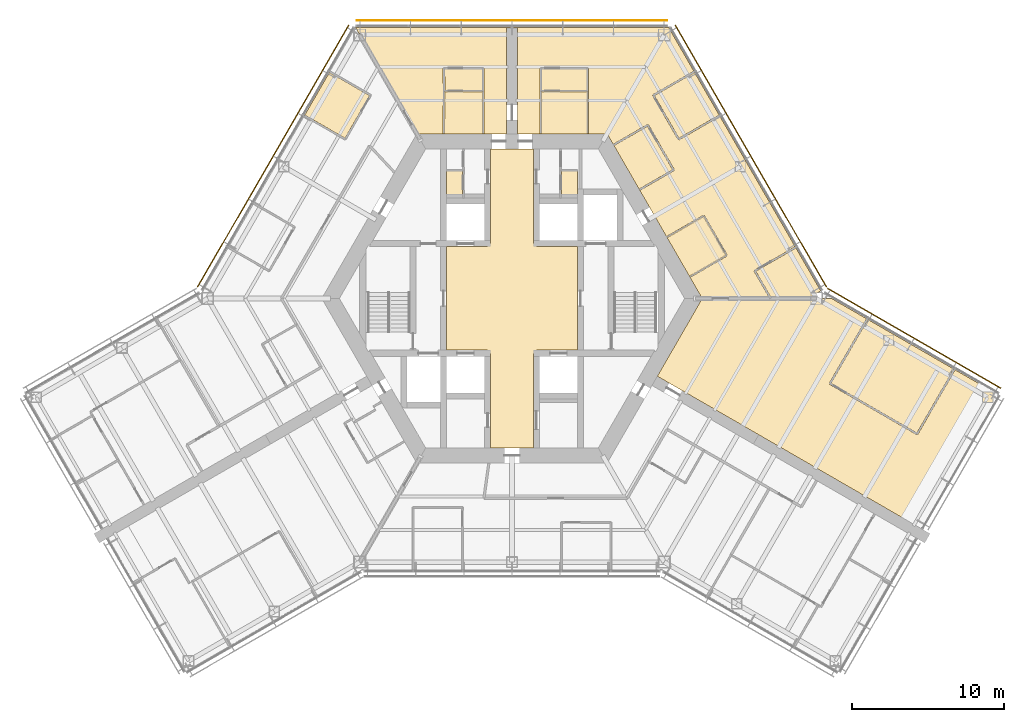
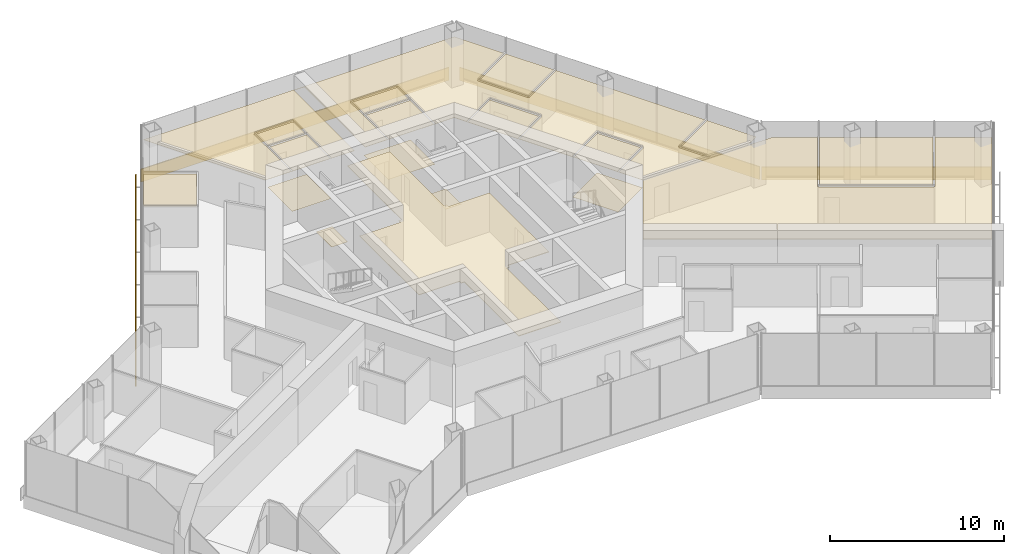
# One storey, part 19 of 19: 19 coverings, 4 shading devices.
"""IFC4 building model written with IfcOpenShell, lengths in metres."""

from ifc_helpers import new_model, si_unit, direction, frame, origin, origin_2d, place, context, subcontext, project, spatial, polyline, rectangle, outline, extrude, material, layer, layer_set, type_object, element, save


model = new_model("IFC4")

# Units and contexts
model_context = context("Model", 3, precision=1e-05, world=origin(), true_north=direction((0.0, 1.0)))
body_context = subcontext(model_context, "Body", "Model", "MODEL_VIEW")
ifc_project = project(units=[si_unit("LENGTHUNIT", "METRE"), si_unit("AREAUNIT", "SQUARE_METRE"), si_unit("VOLUMEUNIT", "CUBIC_METRE"), si_unit("PLANEANGLEUNIT", "RADIAN"), si_unit("MASSUNIT", "GRAM", prefix="KILO")], contexts=[model_context])

# Site, building, storey
site_placement = place(None, origin())
site = spatial("IfcSite", under=ifc_project, at=site_placement, CompositionType="ELEMENT")
building_placement = place(site_placement, origin())
building = spatial("IfcBuilding", under=site, at=building_placement, Name="Kasaneha Research Tower", CompositionType="ELEMENT")
storey_placement = place(building_placement, frame((0.0, 0.0, 156.5)))
storey = spatial("IfcBuildingStorey", under=building, at=storey_placement, Name="L39", CompositionType="ELEMENT", Elevation=156.5)

# Coverings
ifc_material_1 = material(Name="Aluminium panel ceiling", Category="aluminium")
ifc_layer_1 = layer(ifc_material_1, 0.0400390625)
ifc_layer_set_1 = layer_set([ifc_layer_1], Name="Lift lobby ceiling 40")
covering_type_1 = type_object("IfcCoveringType", Name="Lift lobby ceiling 40", PredefinedType="CEILING", material=ifc_layer_set_1)
covering_1_placement = place(storey_placement, frame((0.0, 0.0, 2.699951171875)))
element("IfcCovering", 1, at=covering_1_placement, inside=storey, type_object=covering_type_1, Name="Ceiling L39-01", PredefinedType="CEILING", context=body_context, shape_type="SweptSolid", body=[
    extrude(outline(polyline([(1.39990234375, 9.824951171875), (1.39990234375, 3.60009765625), (1.60009765625, 3.60009765625), (1.60009765625, 3.39990234375), (4.300048828125, 3.39990234375), (4.300048828125, -3.39990234375), (1.60009765625, -3.39990234375), (1.60009765625, -3.60009765625), (1.39990234375, -3.60009765625), (1.39990234375, -9.824951171875), (-1.39990234375, -9.824951171875), (-1.39990234375, -3.60009765625), (-1.60009765625, -3.60009765625), (-1.60009765625, -3.39990234375), (-4.300048828125, -3.39990234375), (-4.300048828125, 3.39990234375), (-1.60009765625, 3.39990234375), (-1.60009765625, 3.60009765625), (-1.39990234375, 3.60009765625), (-1.39990234375, 9.824951171875), (1.39990234375, 9.824951171875)])), origin(), (0.0, 0.0, 1.0), 0.0400390625),
])
ifc_material_2 = material(Name="Gypsum ceiling board", Category="gypsum")
ifc_layer_2 = layer(ifc_material_2, 0.02001953125)
ifc_layer_set_2 = layer_set([ifc_layer_2], Name="Suspended ceiling 20")
covering_type_2 = type_object("IfcCoveringType", Name="Suspended ceiling 20", PredefinedType="CEILING", material=ifc_layer_set_2)
covering_2_placement = place(storey_placement, frame((0.0, 0.0, 2.800048828125)))
element("IfcCovering", 2, at=covering_2_placement, inside=storey, type_object=covering_type_2, Name="Ceiling L39-26", PredefinedType="CEILING", context=body_context, shape_type="SweptSolid", body=[
    extrude(outline(polyline([(1.89990234375, 10.824951171875), (1.89990234375, 10.844970703125), (1.949951171875, 10.844970703125), (1.95458984375, 13.570068359375), (4.91650390625, 13.570068359375), (4.9208984375, 10.844970703125), (4.970947265625, 10.844970703125), (4.970947265625, 10.824951171875), (1.89990234375, 10.824951171875)])), origin(), (0.0, 0.0, 1.0), 0.02001953125),
])
covering_3_placement = place(storey_placement, frame((0.0, 0.0, 2.800048828125)))
element("IfcCovering", 3, at=covering_3_placement, inside=storey, type_object=covering_type_2, Name="Ceiling L39-27", PredefinedType="CEILING", context=body_context, shape_type="SweptSolid", body=[
    extrude(outline(polyline([(4.91650390625, 13.669921875), (1.954345703125, 13.669921875), (1.9501953125, 15.074951171875), (4.9208984375, 15.074951171875), (4.91650390625, 13.669921875)])), origin(), (0.0, 0.0, 1.0), 0.02001953125),
])
covering_4_placement = place(storey_placement, frame((0.0, 0.0, 2.800048828125)))
element("IfcCovering", 4, at=covering_4_placement, inside=storey, type_object=covering_type_2, Name="Ceiling L39-28", PredefinedType="CEILING", context=body_context, shape_type="SweptSolid", body=[
    extrude(outline(polyline([(10.1748046875, 4.02685546875), (10.192138671875, 4.036865234375), (10.217041015625, 3.99365234375), (12.581298828125, 5.358642578125), (14.03125, 2.84716796875), (11.6669921875, 1.482177734375), (11.692138671875, 1.438720703125), (11.6748046875, 1.4287109375), (10.1748046875, 4.02685546875)])), origin(), (0.0, 0.0, 1.0), 0.02001953125),
])
covering_5_placement = place(storey_placement, frame((0.0, 0.0, 2.800048828125)))
element("IfcCovering", 5, at=covering_5_placement, inside=storey, type_object=covering_type_2, Name="Ceiling L39-29", PredefinedType="CEILING", context=body_context, shape_type="SweptSolid", body=[
    extrude(outline(polyline([(13.640869140625, 12.0146484375), (13.623291015625, 12.004638671875), (13.598388671875, 12.0478515625), (10.974365234375, 10.53271484375), (9.35888671875, 13.330810546875), (12.000244140625, 14.85595703125), (13.640869140625, 12.0146484375)])), origin(), (0.0, 0.0, 1.0), 0.02001953125),
])
covering_6_placement = place(storey_placement, frame((0.0, 0.0, 2.800048828125)))
element("IfcCovering", 6, at=covering_6_placement, inside=storey, type_object=covering_type_2, Name="Ceiling L39-30", PredefinedType="CEILING", context=body_context, shape_type="SweptSolid", body=[
    extrude(outline(polyline([(6.6748046875, 10.089111328125), (6.69189453125, 10.09912109375), (6.717041015625, 10.0556640625), (8.908203125, 11.32080078125), (10.55810546875, 8.462890625), (8.366943359375, 7.197998046875), (8.39208984375, 7.154541015625), (8.374755859375, 7.14453125), (6.6748046875, 10.089111328125)])), origin(), (0.0, 0.0, 1.0), 0.02001953125),
])
covering_7_placement = place(storey_placement, frame((0.0, 0.0, 2.800048828125)))
element("IfcCovering", 7, at=covering_7_placement, inside=storey, type_object=covering_type_2, Name="Ceiling L39-31", PredefinedType="CEILING", context=body_context, shape_type="SweptSolid", body=[
    extrude(outline(polyline([(19.41845703125, 0.0), (16.997802734375, 0.0), (16.986328125, 0.02001953125), (17.029541015625, 0.044921875), (16.020751953125, 1.792236328125), (18.644775390625, 3.30712890625), (18.619873046875, 3.3505859375), (18.63720703125, 3.360595703125), (20.28759765625, 0.501708984375), (19.41845703125, 0.0)])), origin(), (0.0, 0.0, 1.0), 0.02001953125),
])
covering_8_placement = place(storey_placement, frame((0.0, 0.0, 2.800048828125)))
element("IfcCovering", 8, at=covering_8_placement, inside=storey, type_object=covering_type_2, Name="Ceiling L39-32", PredefinedType="CEILING", context=body_context, shape_type="SweptSolid", body=[
    extrude(outline(polyline([(11.6923828125, 1.438232421875), (11.717041015625, 1.3955078125), (14.12451171875, 2.785400390625), (14.099609375, 2.828857421875), (14.10009765625, 2.8291015625), (14.10009765625, 2.8291015625), (14.142822265625, 2.853759765625), (12.642822265625, 5.451904296875), (12.599853515625, 5.427001953125), (12.599609375, 5.42724609375), (12.599365234375, 5.42724609375), (12.57470703125, 5.47021484375), (10.1669921875, 4.080078125), (10.19189453125, 4.037353515625), (10.174560546875, 4.02734375), (8.375, 7.14404296875), (8.392333984375, 7.154052734375), (8.4169921875, 7.111328125), (10.6513671875, 8.4013671875), (10.62646484375, 8.4443359375), (10.626953125, 8.444580078125), (10.626708984375, 8.44482421875), (10.669677734375, 8.469482421875), (8.9697265625, 11.4140625), (8.9267578125, 11.38916015625), (8.9267578125, 11.389404296875), (8.92626953125, 11.38916015625), (8.9013671875, 11.432373046875), (6.6669921875, 10.142333984375), (6.691650390625, 10.099365234375), (6.674560546875, 10.08935546875), (6.249755859375, 10.824951171875), (4.971435546875, 10.824951171875), (4.971435546875, 10.844970703125), (5.02099609375, 10.844970703125), (5.016357421875, 13.625), (5.02099609375, 15.124755859375), (4.971435546875, 15.125), (4.971435546875, 15.12548828125), (4.970947265625, 15.12548828125), (4.970947265625, 15.175048828125), (1.89990234375, 15.175048828125), (1.89990234375, 15.125244140625), (1.899658203125, 15.125244140625), (1.899658203125, 15.125), (1.85009765625, 15.124755859375), (1.8544921875, 13.625), (1.85009765625, 10.844970703125), (1.8994140625, 10.844970703125), (1.8994140625, 10.824951171875), (0.35009765625, 10.824951171875), (0.35009765625, 11.72509765625), (0.35009765625, 12.72509765625), (0.35009765625, 17.7705078125), (0.35009765625, 17.7705078125), (0.0, 17.7705078125), (0.0, 17.820556640625), (10.28857421875, 17.820556640625), (11.9501953125, 14.9423828125), (9.265625, 13.392578125), (9.29052734375, 13.349609375), (9.2900390625, 13.349365234375), (9.290283203125, 13.34912109375), (9.247314453125, 13.32421875), (10.912841796875, 10.439453125), (10.9560546875, 10.464599609375), (10.981201171875, 10.421142578125), (13.6484375, 11.961181640625), (13.62353515625, 12.004150390625), (13.64111328125, 12.01416015625), (18.636962890625, 3.36083984375), (18.61962890625, 3.350830078125), (18.5947265625, 3.393798828125), (15.927490234375, 1.853759765625), (15.952392578125, 1.810791015625), (15.9521484375, 1.810791015625), (15.9521484375, 1.810302734375), (15.9091796875, 1.785400390625), (16.93994140625, 0.0), (12.49951171875, 0.0), (11.675048828125, 1.428466796875), (11.6923828125, 1.438232421875)])), origin(), (0.0, 0.0, 1.0), 0.02001953125),
])
covering_9_placement = place(storey_placement, frame((0.0, 0.0, 2.800048828125)))
element("IfcCovering", 9, at=covering_9_placement, inside=storey, type_object=covering_type_2, Name="Ceiling L39-33", PredefinedType="CEILING", context=body_context, shape_type="SweptSolid", body=[
    extrude(outline(polyline([(-4.470947265625, 10.824951171875), (-4.470947265625, 10.844970703125), (-4.4208984375, 10.844970703125), (-4.41650390625, 13.570068359375), (-1.95458984375, 13.570068359375), (-1.949951171875, 10.844970703125), (-1.89990234375, 10.844970703125), (-1.89990234375, 10.824951171875), (-4.470947265625, 10.824951171875)])), origin(), (0.0, 0.0, 1.0), 0.02001953125),
])
covering_10_placement = place(storey_placement, frame((0.0, 0.0, 2.800048828125)))
element("IfcCovering", 10, at=covering_10_placement, inside=storey, type_object=covering_type_2, Name="Ceiling L39-34", PredefinedType="CEILING", context=body_context, shape_type="SweptSolid", body=[
    extrude(outline(polyline([(-1.9501953125, 15.074951171875), (-1.95458984375, 13.669921875), (-4.41650390625, 13.669921875), (-4.4208984375, 15.074951171875), (-1.9501953125, 15.074951171875)])), origin(), (0.0, 0.0, 1.0), 0.02001953125),
])
covering_11_placement = place(storey_placement, frame((0.0, 0.0, 2.800048828125)))
element("IfcCovering", 11, at=covering_11_placement, inside=storey, type_object=covering_type_2, Name="Ceiling L39-35", PredefinedType="CEILING", context=body_context, shape_type="SweptSolid", body=[
    extrude(outline(polyline([(-0.35009765625, 11.72509765625), (-0.35009765625, 10.824951171875), (-1.8994140625, 10.824951171875), (-1.8994140625, 10.844970703125), (-1.85009765625, 10.844970703125), (-1.854736328125, 13.625), (-1.85009765625, 15.124755859375), (-1.89990234375, 15.125), (-1.89990234375, 15.12548828125), (-1.89990234375, 15.175048828125), (-4.470947265625, 15.175048828125), (-4.470947265625, 15.125244140625), (-4.471435546875, 15.125244140625), (-4.471435546875, 15.125), (-4.52099609375, 15.124755859375), (-4.516357421875, 13.625), (-4.52099609375, 10.844970703125), (-4.471435546875, 10.844970703125), (-4.471435546875, 10.824951171875), (-6.249755859375, 10.824951171875), (-10.28857421875, 17.820556640625), (0.0, 17.820556640625), (0.0, 17.7705078125), (-0.35009765625, 17.7705078125), (-0.35009765625, 17.7705078125), (-0.35009765625, 12.72509765625), (-0.35009765625, 11.72509765625)])), origin(), (0.0, 0.0, 1.0), 0.02001953125),
])
covering_12_placement = place(storey_placement, frame((0.0, 0.0, 2.800048828125)))
element("IfcCovering", 12, at=covering_12_placement, inside=storey, type_object=covering_type_2, Name="Ceiling L39-41", PredefinedType="CEILING", context=body_context, shape_type="SweptSolid", body=[
    extrude(outline(polyline([(-12.000244140625, 14.85595703125), (-9.35888671875, 13.330810546875), (-10.974365234375, 10.53271484375), (-13.598388671875, 12.0478515625), (-13.623291015625, 12.004638671875), (-13.640869140625, 12.0146484375), (-12.000244140625, 14.85595703125)])), origin(), (0.0, 0.0, 1.0), 0.02001953125),
])
covering_13_placement = place(storey_placement, frame((0.0, 0.0, 2.800048828125)))
element("IfcCovering", 13, at=covering_13_placement, inside=storey, type_object=covering_type_2, Name="Ceiling L39-49", PredefinedType="CEILING", context=body_context, shape_type="SweptSolid", body=[
    extrude(outline(polyline([(29.03173828125, -4.636962890625), (26.606689453125, -8.83740234375), (20.96044921875, -5.577392578125), (23.37548828125, -1.39453125), (23.332275390625, -1.36962890625), (23.34228515625, -1.352294921875), (29.03173828125, -4.636962890625)])), origin(), (0.0, 0.0, 1.0), 0.02001953125),
])
covering_14_placement = place(storey_placement, frame((0.0, 0.0, 2.800048828125)))
element("IfcCovering", 14, at=covering_14_placement, inside=storey, type_object=covering_type_2, Name="Ceiling L39-50", PredefinedType="CEILING", context=body_context, shape_type="SweptSolid", body=[
    extrude(outline(polyline([(9.5498046875, -5.109375), (12.49951171875, 0.0), (16.93994140625, 0.0), (16.94287109375, -0.0048828125), (16.95166015625, 0.0), (21.0, 0.0), (23.341796875, -1.35205078125), (23.331787109375, -1.369384765625), (23.288818359375, -1.344482421875), (20.848876953125, -5.57080078125), (20.89208984375, -5.595703125), (20.8671875, -5.63916015625), (26.60009765625, -8.948974609375), (26.624755859375, -8.906005859375), (26.625, -8.906005859375), (26.625244140625, -8.90576171875), (26.668212890625, -8.9306640625), (29.1181640625, -4.68701171875), (31.94140625, -6.31689453125), (26.866455078125, -15.107177734375), (14.286376953125, -7.843994140625), (10.3291015625, -5.559326171875), (10.3291015625, -5.559326171875), (9.5498046875, -5.109375)])), origin(), (0.0, 0.0, 1.0), 0.02001953125),
])

# Shading devices
ifc_material_3 = material(Name="Terracotta", Category="masonry")
ifc_layer_3 = layer(ifc_material_3, 0.06005859375)
ifc_layer_set_3 = layer_set([ifc_layer_3], Name="Terracotta baguette screen")
shading_device_type = type_object("IfcShadingDeviceType", Name="Terracotta baguette screen", PredefinedType="USERDEFINED", material=ifc_layer_set_3)
shading_device_1_placement = place(storey_placement, frame((26.43359375, -2.617431640625, -0.449951171875), z_axis=(0.0, 0.0, 1.0), x_axis=(-0.866025411464, 0.499999986699, 0.0)))
element("IfcShadingDevice", 15, at=shading_device_1_placement, inside=storey, type_object=shading_device_type, Name="Baguette screen L39 05", ObjectType="TERRACOTTA BAGUETTE SCREEN", PredefinedType="USERDEFINED", context=body_context, shape_type="SweptSolid", body=[
    extrude(rectangle(XDim=13.13916015625, YDim=0.06005859375, at=origin_2d()), origin(), (0.0, 0.0, 1.0), 0.89990234375),
])
shading_device_2_placement = place(storey_placement, frame((15.696044921875, 9.35498046875, -0.449951171875), z_axis=(0.0, 0.0, 1.0), x_axis=(-0.499999979232, 0.866025415775, 0.0)))
element("IfcShadingDevice", 16, at=shading_device_2_placement, inside=storey, type_object=shading_device_type, Name="Baguette screen L39 06", ObjectType="TERRACOTTA BAGUETTE SCREEN", PredefinedType="USERDEFINED", context=body_context, shape_type="SweptSolid", body=[
    extrude(rectangle(XDim=19.8857421875, YDim=0.06005859375, at=origin_2d()), origin(), (0.0, 0.0, 1.0), 0.89990234375),
])
shading_device_3_placement = place(storey_placement, frame((0.0, 18.2705078125, -0.449951171875), z_axis=(0.0, 0.0, 1.0), x_axis=(-1.0, 0.0, 0.0)))
element("IfcShadingDevice", 17, at=shading_device_3_placement, inside=storey, type_object=shading_device_type, Name="Baguette screen L39 07", ObjectType="TERRACOTTA BAGUETTE SCREEN", PredefinedType="USERDEFINED", context=body_context, shape_type="SweptSolid", body=[
    extrude(rectangle(XDim=20.392822265625, YDim=0.06005859375, at=origin_2d()), origin(), (0.0, 0.0, 1.0), 0.89990234375),
])
shading_device_4_placement = place(storey_placement, frame((-15.696044921875, 9.35498046875, -0.449951171875), z_axis=(0.0, 0.0, 1.0), x_axis=(-0.499999979232, -0.866025415775, 0.0)))
element("IfcShadingDevice", 18, at=shading_device_4_placement, inside=storey, type_object=shading_device_type, Name="Baguette screen L39 08", ObjectType="TERRACOTTA BAGUETTE SCREEN", PredefinedType="USERDEFINED", context=body_context, shape_type="SweptSolid", body=[
    extrude(rectangle(XDim=19.8857421875, YDim=0.06005859375, at=origin_2d()), origin(), (0.0, 0.0, 1.0), 0.89990234375),
])

# Coverings
ifc_material_4 = material(Name="Vinyl sheet flooring", Category="plastic")
ifc_layer_4 = layer(ifc_material_4, 0.0048828125)
ifc_layer_set_4 = layer_set([ifc_layer_4], Name="Wet room sheet flooring 5")
covering_type_3 = type_object("IfcCoveringType", Name="Wet room sheet flooring 5", PredefinedType="FLOORING", material=ifc_layer_set_4)
covering_15_placement = place(storey_placement, origin())
element("IfcCovering", 19, at=covering_15_placement, inside=storey, type_object=covering_type_3, Name="Floor finish L39-07", PredefinedType="FLOORING", context=body_context, shape_type="SweptSolid", body=[
    extrude(outline(polyline([(-4.300048828125, 6.60009765625), (-4.300048828125, 8.375), (-3.25, 8.375), (-3.25, 6.60009765625), (-4.300048828125, 6.60009765625)])), origin(), (0.0, 0.0, 1.0), 0.0048828125),
])
covering_16_placement = place(storey_placement, origin())
element("IfcCovering", 20, at=covering_16_placement, inside=storey, type_object=covering_type_3, Name="Floor finish L39-10", PredefinedType="FLOORING", context=body_context, shape_type="SweptSolid", body=[
    extrude(outline(polyline([(3.25, 6.60009765625), (3.25, 8.375), (4.300048828125, 8.375), (4.300048828125, 7.0), (4.300048828125, 6.60009765625), (3.25, 6.60009765625)])), origin(), (0.0, 0.0, 1.0), 0.0048828125),
])
covering_17_placement = place(storey_placement, origin())
element("IfcCovering", 21, at=covering_17_placement, inside=storey, type_object=covering_type_3, Name="Floor finish L39-26", PredefinedType="FLOORING", context=body_context, shape_type="SweptSolid", body=[
    extrude(outline(polyline([(4.970947265625, 13.625), (4.970947265625, 10.824951171875), (1.89990234375, 10.824951171875), (1.89990234375, 13.625), (4.970947265625, 13.625)])), origin(), (0.0, 0.0, 1.0), 0.0048828125),
])
covering_18_placement = place(storey_placement, origin())
element("IfcCovering", 22, at=covering_18_placement, inside=storey, type_object=covering_type_3, Name="Floor finish L39-28", PredefinedType="FLOORING", context=body_context, shape_type="SweptSolid", body=[
    extrude(outline(polyline([(14.099609375, 2.828857421875), (11.6748046875, 1.4287109375), (10.1748046875, 4.02685546875), (12.599609375, 5.4267578125), (14.099609375, 2.828857421875)])), origin(), (0.0, 0.0, 1.0), 0.0048828125),
])
covering_19_placement = place(storey_placement, origin())
element("IfcCovering", 23, at=covering_19_placement, inside=storey, type_object=covering_type_3, Name="Floor finish L39-33", PredefinedType="FLOORING", context=body_context, shape_type="SweptSolid", body=[
    extrude(outline(polyline([(-1.89990234375, 13.625), (-1.89990234375, 10.824951171875), (-4.470947265625, 10.824951171875), (-4.470947265625, 13.625), (-1.89990234375, 13.625)])), origin(), (0.0, 0.0, 1.0), 0.0048828125),
])

save(model, "model.ifc")
